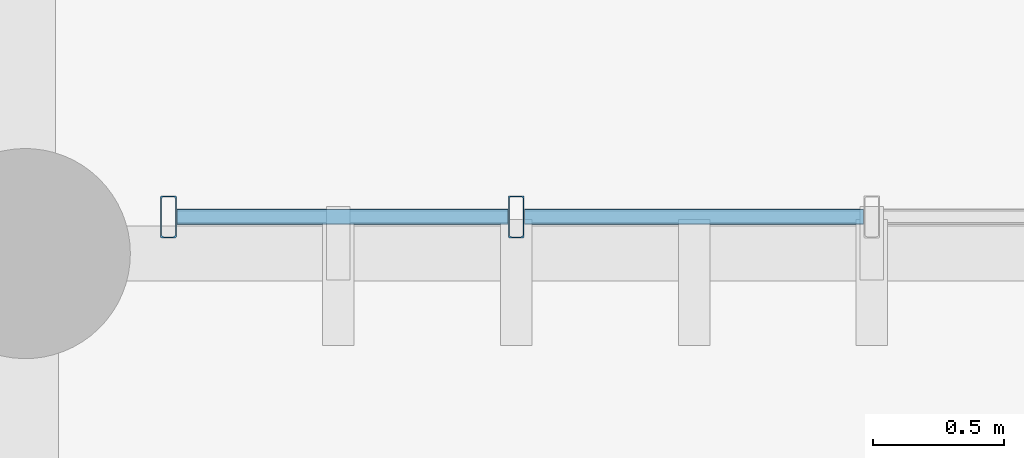
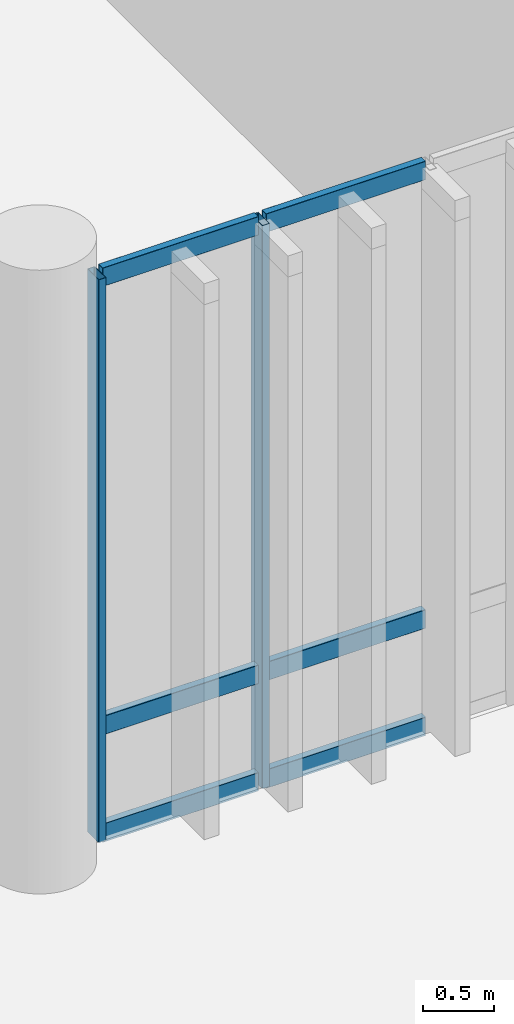
# One storey, part 72 of 128: 8 members, 1 element without a shape of its own.
"""IFC4 building model written with IfcOpenShell, lengths in metres."""

from ifc_helpers import new_model, si_unit, direction, frame, origin_with_axes, origin_2d_with_axis, place, context, subcontext, project, spatial, hollow_rectangle, extrude, material, material_profile, profile_set, type_object, element, aggregate, save


model = new_model("IFC4")

# Units and contexts
model_context = context("Model", 3, precision=1e-05, world=origin_with_axes(), true_north=direction((0.0, 1.0)))
body_context = subcontext(model_context, "Body", "Model", "MODEL_VIEW")
ifc_project = project(units=[si_unit("LENGTHUNIT", "METRE"), si_unit("AREAUNIT", "SQUARE_METRE"), si_unit("VOLUMEUNIT", "CUBIC_METRE"), si_unit("PLANEANGLEUNIT", "RADIAN"), si_unit("MASSUNIT", "GRAM", prefix="KILO"), si_unit("THERMODYNAMICTEMPERATUREUNIT", "KELVIN")], contexts=[model_context])

# Site, building, storey
site_placement = place(None, origin_with_axes())
site = spatial("IfcSite", under=ifc_project, at=site_placement, CompositionType="ELEMENT")
building_placement = place(site_placement, origin_with_axes())
building = spatial("IfcBuilding", under=site, at=building_placement, Name="Montbau Bow Law Courts", CompositionType="ELEMENT")
storey_placement = place(building_placement, frame((0.0, 0.0, 5.4), z_axis=(0.0, 0.0, 1.0), x_axis=(1.0, 0.0, 0.0)))
storey = spatial("IfcBuildingStorey", under=building, at=storey_placement, Name="L01", CompositionType="ELEMENT", Elevation=5.4)

# Curtain wall, members
ifc_material = material(Name="Thermally Broken Extruded Aluminium AA 6063-T6", Category="aluminium")
curtain_wall_type = type_object("IfcCurtainWallType", Name="CW-SLT-01", PredefinedType="NOTDEFINED", material=ifc_material)
curtain_wall_placement = place(None, frame((147.515, 69.74, 5.4), z_axis=(0.0, 0.0, 1.0), x_axis=(1.0, 0.0, 0.0)))
curtain_wall = element("IfcCurtainWall", 1, at=curtain_wall_placement, inside=storey, type_object=curtain_wall_type, Name="CW-L01-278:cw_0278", PredefinedType="NOTDEFINED")
ifc_material_profile_1 = material_profile(ifc_material, hollow_rectangle(XDim=0.06, YDim=0.16, WallThickness=0.004, InnerFilletRadius=0.008, OuterFilletRadius=0.004, at=origin_2d_with_axis()), Name="CWM-160X60", Category="Main", Priority=0)
ifc_profile_set_1 = profile_set([ifc_material_profile_1], Name="Thermally Broken Extruded Aluminium AA 6063-T6")
member_type_1 = type_object("IfcMemberType", Name="M-MUL-03", PredefinedType="MULLION", material=ifc_profile_set_1)
member_1_placement = place(None, frame((147.545, 69.74, 5.4), z_axis=(0.0, 0.0, 1.0), x_axis=(1.0, 0.0, 0.0)))
member_1 = element("IfcMember", 2, at=member_1_placement, type_object=member_type_1, Name="CW-L01-278-M01:cw_0278_M01", PredefinedType="MULLION", context=body_context, shape_type="SweptSolid", body=[
    extrude(hollow_rectangle(XDim=0.06, YDim=0.16, WallThickness=0.004, InnerFilletRadius=0.008, OuterFilletRadius=0.004, at=origin_2d_with_axis()), origin_with_axes(), (0.0, 0.0, 1.0), 4.82),
])
member_2_placement = place(None, frame((148.869, 69.74, 5.4), z_axis=(0.0, 0.0, 1.0), x_axis=(1.0, 0.0, 0.0)))
member_2 = element("IfcMember", 3, at=member_2_placement, type_object=member_type_1, Name="CW-L01-278-M02:cw_0278_M02", PredefinedType="MULLION", context=body_context, shape_type="SweptSolid", body=[
    extrude(hollow_rectangle(XDim=0.06, YDim=0.16, WallThickness=0.004, InnerFilletRadius=0.008, OuterFilletRadius=0.004, at=origin_2d_with_axis()), origin_with_axes(), (0.0, 0.0, 1.0), 4.82),
])
ifc_material_profile_2 = material_profile(ifc_material, hollow_rectangle(XDim=0.06, YDim=0.16, WallThickness=0.004, InnerFilletRadius=0.008, OuterFilletRadius=0.004, at=origin_2d_with_axis()), Name="CWT-160X60", Category="Main", Priority=0)
ifc_profile_set_2 = profile_set([ifc_material_profile_2], Name="Thermally Broken Extruded Aluminium AA 6063-T6")
member_type_2 = type_object("IfcMemberType", Name="M-TRN-01", PredefinedType="USERDEFINED", material=ifc_profile_set_2)
member_3_placement = place(None, frame((147.577, 69.74, 5.43), z_axis=(1.0, 0.0, 0.0), x_axis=(0.0, 1.0, 0.0)))
member_3 = element("IfcMember", 4, at=member_3_placement, type_object=member_type_2, Name="CW-L01-278-T01-1:cw_0278_T01_1", ObjectType="TRANSOM", PredefinedType="USERDEFINED", context=body_context, shape_type="SweptSolid", body=[
    extrude(hollow_rectangle(XDim=0.06, YDim=0.16, WallThickness=0.004, InnerFilletRadius=0.008, OuterFilletRadius=0.004, at=origin_2d_with_axis()), origin_with_axes(), (0.0, 0.0, 1.0), 1.26),
])
member_4_placement = place(None, frame((147.577, 69.74, 6.35), z_axis=(1.0, 0.0, 0.0), x_axis=(0.0, 1.0, 0.0)))
member_4 = element("IfcMember", 5, at=member_4_placement, type_object=member_type_2, Name="CW-L01-278-T01-2:cw_0278_T01_2", ObjectType="TRANSOM", PredefinedType="USERDEFINED", context=body_context, shape_type="SweptSolid", body=[
    extrude(hollow_rectangle(XDim=0.06, YDim=0.16, WallThickness=0.004, InnerFilletRadius=0.008, OuterFilletRadius=0.004, at=origin_2d_with_axis()), origin_with_axes(), (0.0, 0.0, 1.0), 1.26),
])
member_5_placement = place(None, frame((147.577, 69.74, 10.19), z_axis=(1.0, 0.0, 0.0), x_axis=(0.0, 1.0, 0.0)))
member_5 = element("IfcMember", 6, at=member_5_placement, type_object=member_type_2, Name="CW-L01-278-T01-3:cw_0278_T01_3", ObjectType="TRANSOM", PredefinedType="USERDEFINED", context=body_context, shape_type="SweptSolid", body=[
    extrude(hollow_rectangle(XDim=0.06, YDim=0.16, WallThickness=0.004, InnerFilletRadius=0.008, OuterFilletRadius=0.004, at=origin_2d_with_axis()), origin_with_axes(), (0.0, 0.0, 1.0), 1.26),
])
member_6_placement = place(None, frame((148.901, 69.74, 5.43), z_axis=(1.0, 0.0, 0.0), x_axis=(0.0, 1.0, 0.0)))
member_6 = element("IfcMember", 7, at=member_6_placement, type_object=member_type_2, Name="CW-L01-278-T02-1:cw_0278_T02_1", ObjectType="TRANSOM", PredefinedType="USERDEFINED", context=body_context, shape_type="SweptSolid", body=[
    extrude(hollow_rectangle(XDim=0.06, YDim=0.16, WallThickness=0.004, InnerFilletRadius=0.008, OuterFilletRadius=0.004, at=origin_2d_with_axis()), origin_with_axes(), (0.0, 0.0, 1.0), 1.29),
])
member_7_placement = place(None, frame((148.901, 69.74, 6.35), z_axis=(1.0, 0.0, 0.0), x_axis=(0.0, 1.0, 0.0)))
member_7 = element("IfcMember", 8, at=member_7_placement, type_object=member_type_2, Name="CW-L01-278-T02-2:cw_0278_T02_2", ObjectType="TRANSOM", PredefinedType="USERDEFINED", context=body_context, shape_type="SweptSolid", body=[
    extrude(hollow_rectangle(XDim=0.06, YDim=0.16, WallThickness=0.004, InnerFilletRadius=0.008, OuterFilletRadius=0.004, at=origin_2d_with_axis()), origin_with_axes(), (0.0, 0.0, 1.0), 1.29),
])
member_8_placement = place(None, frame((148.901, 69.74, 10.19), z_axis=(1.0, 0.0, 0.0), x_axis=(0.0, 1.0, 0.0)))
member_8 = element("IfcMember", 9, at=member_8_placement, type_object=member_type_2, Name="CW-L01-278-T02-3:cw_0278_T02_3", ObjectType="TRANSOM", PredefinedType="USERDEFINED", context=body_context, shape_type="SweptSolid", body=[
    extrude(hollow_rectangle(XDim=0.06, YDim=0.16, WallThickness=0.004, InnerFilletRadius=0.008, OuterFilletRadius=0.004, at=origin_2d_with_axis()), origin_with_axes(), (0.0, 0.0, 1.0), 1.29),
])
aggregate(curtain_wall, [member_1, member_2, member_3, member_4, member_5, member_6, member_7, member_8])

save(model, "model.ifc")
